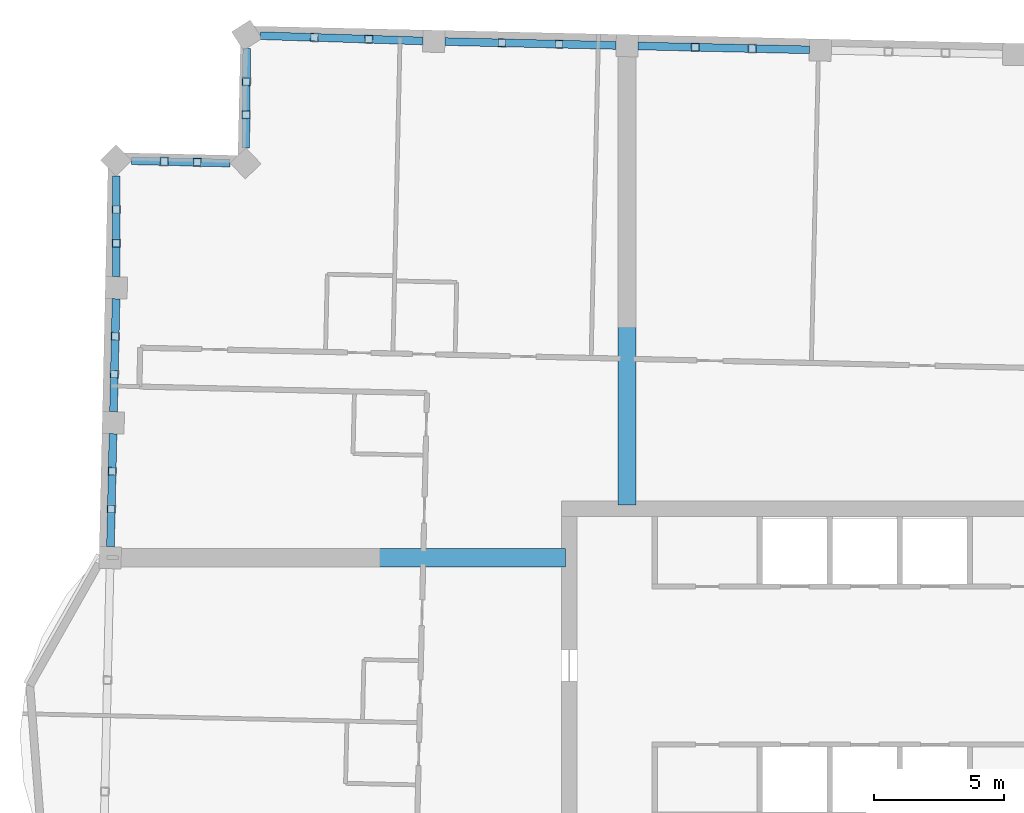
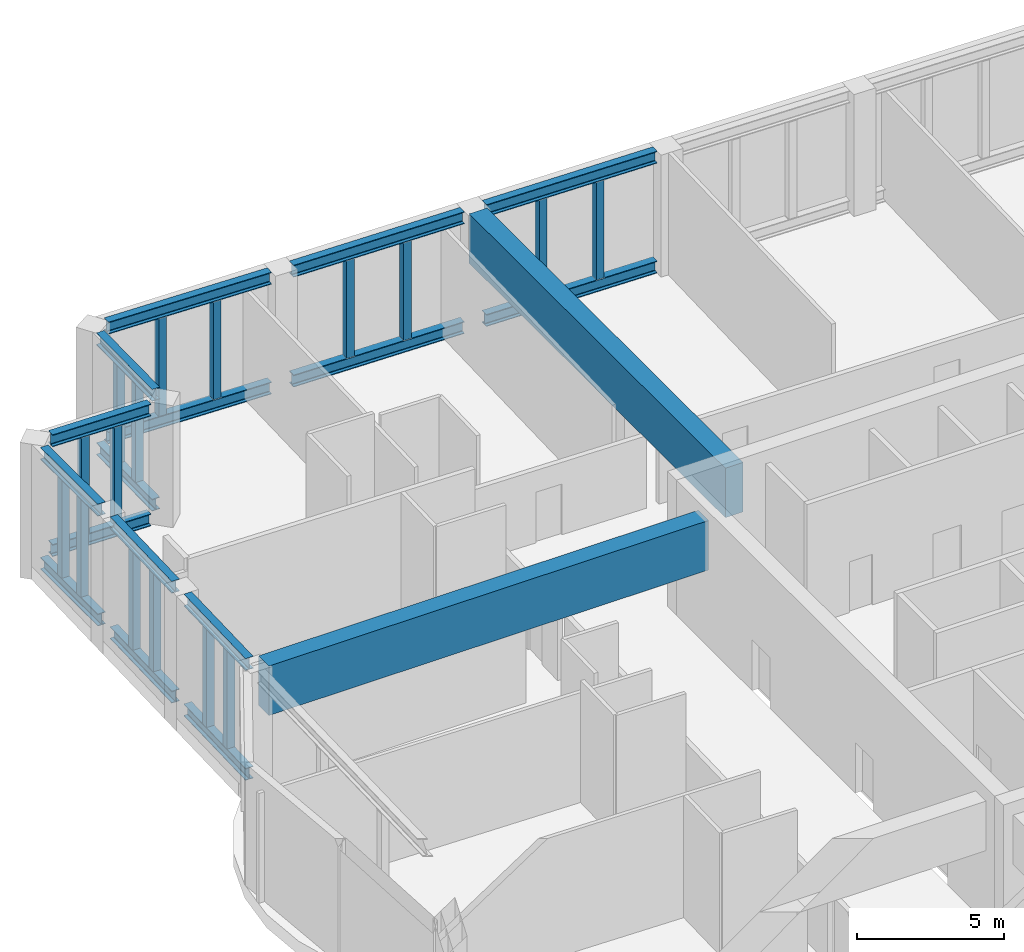
# One storey, part 6 of 16: 32 members, 2 beams.
"""IFC4 building model written with IfcOpenShell, lengths in metres."""

from ifc_helpers import new_model, si_unit, direction, frame, origin, origin_2d, place, context, subcontext, project, spatial, rectangle, hollow_rectangle, i_section, extrude, material, material_profile, profile_set, type_object, element, save


model = new_model("IFC4")

# Units and contexts
model_context = context("Model", 3, precision=1e-05, world=origin(), true_north=direction((0.0, 1.0)))
body_context = subcontext(model_context, "Body", "Model", "MODEL_VIEW")
ifc_project = project(units=[si_unit("LENGTHUNIT", "METRE"), si_unit("AREAUNIT", "SQUARE_METRE"), si_unit("VOLUMEUNIT", "CUBIC_METRE"), si_unit("PLANEANGLEUNIT", "RADIAN"), si_unit("MASSUNIT", "GRAM", prefix="KILO")], contexts=[model_context])

# Site, building, storey
site_placement = place(None, origin())
site = spatial("IfcSite", under=ifc_project, at=site_placement, CompositionType="ELEMENT")
building_placement = place(site_placement, origin())
building = spatial("IfcBuilding", under=site, at=building_placement, Name="Mangrove Gate Tower", CompositionType="ELEMENT")
storey_placement = place(building_placement, frame((0.0, 0.0, 324.10009765625)))
storey = spatial("IfcBuildingStorey", under=building, at=storey_placement, Name="L83", CompositionType="ELEMENT", Elevation=324.10009765625)

# Members
ifc_material_1 = material(Name="Steel S355J2", Category="steel")
ifc_material_profile_1 = material_profile(ifc_material_1, i_section(OverallWidth=0.300048828125, OverallDepth=0.5, WebThickness=0.014404296875, FlangeThickness=0.028076171875, FilletRadius=0.027099609375, at=origin_2d()))
ifc_profile_set_1 = profile_set([ifc_material_profile_1], Name="Steel S355J2")
member_type_1 = type_object("IfcMemberType", Name="Belt truss chord HE 500 B", PredefinedType="CHORD", material=ifc_profile_set_1)
for number, where, z_axis, x_axis, name in (
    (1, (-4.838623046875, 28.8056640625, 0.25), (-0.999742579014, 0.022688669137, 0.0), (-0.022688669137, -0.999742579014, 0.0), "Belt truss bottom chord L83 27"),
    (2, (-4.838623046875, 28.8056640625, 4.7998046875), (-0.999742579014, 0.022688669137, 0.0), (-0.022688669137, -0.999742579014, 0.0), "Belt truss top chord L83 27"),
    (3, (-12.29345703125, 28.974853515625, 0.25), (-0.999743416513, 0.022651735883, 0.0), (-0.022651735883, -0.999743416513, 0.0), "Belt truss bottom chord L83 28"),
    (4, (-12.29345703125, 28.974853515625, 4.7998046875), (-0.999743416513, 0.022651735883, 0.0), (-0.022651735883, -0.999743416513, 0.0), "Belt truss top chord L83 28"),
):
    element("IfcMember", number, at=place(storey_placement, frame(where, z_axis=z_axis, x_axis=x_axis)), inside=storey, type_object=member_type_1, Name=name, PredefinedType="CHORD", context=body_context, shape_type="SweptSolid", body=[
        extrude(i_section(OverallWidth=0.300048828125, OverallDepth=0.5, WebThickness=0.014404296875, FlangeThickness=0.028076171875, FilletRadius=0.027099609375, at=origin_2d()), origin(), (0.0, 0.0, 1.0), 6.60693359375),
    ])
for number, where, z_axis, x_axis, name in (
    (5, (-19.74853515625, 29.14794921875, 0.25), (-0.999468002837, 0.032614587312, 0.0), (-0.032614587312, -0.999468002837, 0.0), "Belt truss bottom chord L83 29"),
    (6, (-19.74853515625, 29.14794921875, 4.7998046875), (-0.999468002837, 0.032614587312, 0.0), (-0.032614587312, -0.999468002837, 0.0), "Belt truss top chord L83 29"),
):
    element("IfcMember", number, at=place(storey_placement, frame(where, z_axis=z_axis, x_axis=x_axis)), inside=storey, type_object=member_type_1, Name=name, PredefinedType="CHORD", context=body_context, shape_type="SweptSolid", body=[
        extrude(i_section(OverallWidth=0.300048828125, OverallDepth=0.5, WebThickness=0.014404296875, FlangeThickness=0.028076171875, FilletRadius=0.027099609375, at=origin_2d()), origin(), (0.0, 0.0, 1.0), 6.280517578125),
    ])
for number, where, z_axis, x_axis, name in (
    (7, (-26.54541015625, 28.8623046875, 0.25), (-0.009901761604, -0.999950976357, 0.0), (0.999950976357, -0.009901761604, 0.0), "Belt truss bottom chord L83 30"),
    (8, (-26.54541015625, 28.8623046875, 4.7998046875), (-0.009901761604, -0.999950976357, 0.0), (0.999950976357, -0.009901761604, 0.0), "Belt truss top chord L83 30"),
):
    element("IfcMember", number, at=place(storey_placement, frame(where, z_axis=z_axis, x_axis=x_axis)), inside=storey, type_object=member_type_1, Name=name, PredefinedType="CHORD", context=body_context, shape_type="SweptSolid", body=[
        extrude(i_section(OverallWidth=0.300048828125, OverallDepth=0.5, WebThickness=0.014404296875, FlangeThickness=0.028076171875, FilletRadius=0.027099609375, at=origin_2d()), origin(), (0.0, 0.0, 1.0), 3.846435546875),
    ])
for number, where, z_axis, x_axis, name in (
    (9, (-27.189697265625, 24.43701171875, 0.25), (-0.999715144974, 0.02386689988, 0.0), (-0.02386689988, -0.999715144974, 0.0), "Belt truss bottom chord L83 31"),
    (10, (-27.189697265625, 24.43701171875, 4.7998046875), (-0.999715144974, 0.02386689988, 0.0), (-0.02386689988, -0.999715144974, 0.0), "Belt truss top chord L83 31"),
):
    element("IfcMember", number, at=place(storey_placement, frame(where, z_axis=z_axis, x_axis=x_axis)), inside=storey, type_object=member_type_1, Name=name, PredefinedType="CHORD", context=body_context, shape_type="SweptSolid", body=[
        extrude(i_section(OverallWidth=0.300048828125, OverallDepth=0.5, WebThickness=0.014404296875, FlangeThickness=0.028076171875, FilletRadius=0.027099609375, at=origin_2d()), origin(), (0.0, 0.0, 1.0), 3.80517578125),
    ])
for number, where, z_axis, x_axis, name in (
    (11, (-31.581298828125, 23.94287109375, 0.25), (0.001442999941, -0.999998958875, 0.0), (0.999998958875, 0.001442999941, 0.0), "Belt truss bottom chord L83 32"),
    (12, (-31.581298828125, 23.94287109375, 4.7998046875), (0.001442999941, -0.999998958875, 0.0), (0.999998958875, 0.001442999941, 0.0), "Belt truss top chord L83 32"),
):
    element("IfcMember", number, at=place(storey_placement, frame(where, z_axis=z_axis, x_axis=x_axis)), inside=storey, type_object=member_type_1, Name=name, PredefinedType="CHORD", context=body_context, shape_type="SweptSolid", body=[
        extrude(i_section(OverallWidth=0.300048828125, OverallDepth=0.5, WebThickness=0.014404296875, FlangeThickness=0.028076171875, FilletRadius=0.027099609375, at=origin_2d()), origin(), (0.0, 0.0, 1.0), 3.891357421875),
    ])
for number, where, z_axis, x_axis, name in (
    (13, (-31.584716796875, 19.201416015625, 0.25), (-0.02268704877, -0.999742615786, 0.0), (0.999742615786, -0.02268704877, 0.0), "Belt truss bottom chord L83 33"),
    (14, (-31.584716796875, 19.201416015625, 4.7998046875), (-0.02268704877, -0.999742615786, 0.0), (0.999742615786, -0.02268704877, 0.0), "Belt truss top chord L83 33"),
    (15, (-31.70263671875, 13.994384765625, 0.25), (-0.02268704877, -0.999742615786, 0.0), (0.999742615786, -0.02268704877, 0.0), "Belt truss bottom chord L83 34"),
    (16, (-31.70263671875, 13.994384765625, 4.7998046875), (-0.02268704877, -0.999742615786, 0.0), (0.999742615786, -0.02268704877, 0.0), "Belt truss top chord L83 34"),
):
    element("IfcMember", number, at=place(storey_placement, frame(where, z_axis=z_axis, x_axis=x_axis)), inside=storey, type_object=member_type_1, Name=name, PredefinedType="CHORD", context=body_context, shape_type="SweptSolid", body=[
        extrude(i_section(OverallWidth=0.300048828125, OverallDepth=0.5, WebThickness=0.014404296875, FlangeThickness=0.028076171875, FilletRadius=0.027099609375, at=origin_2d()), origin(), (0.0, 0.0, 1.0), 4.3583984375),
    ])
ifc_material_2 = material(Name="Steel S355J2H", Category="steel")
ifc_material_profile_2 = material_profile(ifc_material_2, hollow_rectangle(XDim=0.300048828125, YDim=0.300048828125, WallThickness=0.012451171875, at=origin_2d()))
ifc_profile_set_2 = profile_set([ifc_material_profile_2], Name="Steel S355J2H")
member_type_2 = type_object("IfcMemberType", Name="Belt truss post SHS 300x300x12.5", PredefinedType="POST", material=ifc_profile_set_2)
for number, where, z_axis, x_axis, name in (
    (17, (-7.040283203125, 28.855712890625, 0.5), (0.0, 0.0, 1.0), (-0.999743149141, 0.022663533403, 0.0), "Belt truss post L83 27-1"),
    (18, (-9.241943359375, 28.905517578125, 0.5), (0.0, 0.0, 1.0), (-0.999743149141, 0.022663533403, 0.0), "Belt truss post L83 27-2"),
    (19, (-14.495361328125, 29.024658203125, 0.5), (0.0, 0.0, 1.0), (-0.999743149141, 0.022663533403, 0.0), "Belt truss post L83 28-1"),
    (20, (-16.697021484375, 29.074462890625, 0.5), (0.0, 0.0, 1.0), (-0.999743149141, 0.022663533403, 0.0), "Belt truss post L83 28-2"),
    (21, (-21.8408203125, 29.21630859375, 0.5), (0.0, 0.0, 1.0), (-0.999467540321, 0.032628757927, 0.0), "Belt truss post L83 29-1"),
    (22, (-23.93310546875, 29.28466796875, 0.5), (0.0, 0.0, 1.0), (-0.999467540321, 0.032628757927, 0.0), "Belt truss post L83 29-2"),
    (23, (-26.55810546875, 27.580322265625, 0.5), (0.0, 0.0, 1.0), (-0.009903900912, -0.999950955171, 0.0), "Belt truss post L83 30-1"),
    (24, (-26.57080078125, 26.298095703125, 0.5), (0.0, 0.0, 1.0), (-0.009903900912, -0.999950955171, 0.0), "Belt truss post L83 30-2"),
    (25, (-28.457763671875, 24.46728515625, 0.5), (0.0, 0.0, 1.0), (-0.99971561486, 0.023847209588, 0.0), "Belt truss post L83 31-1"),
    (26, (-29.725830078125, 24.49755859375, 0.5), (0.0, 0.0, 1.0), (-0.99971561486, 0.023847209588, 0.0), "Belt truss post L83 31-2"),
    (27, (-31.579345703125, 22.645751953125, 0.5), (0.0, 0.0, 1.0), (0.001433857302, -0.999998972026, 0.0), "Belt truss post L83 32-1"),
    (28, (-31.57763671875, 21.3486328125, 0.5), (0.0, 0.0, 1.0), (0.001433857302, -0.999998972026, 0.0), "Belt truss post L83 32-2"),
    (29, (-31.61767578125, 17.7490234375, 0.5), (0.0, 0.0, 1.0), (-0.022655978068, -0.999743320387, 0.0), "Belt truss post L83 33-1"),
    (30, (-31.650634765625, 16.296630859375, 0.5), (0.0, 0.0, 1.0), (-0.022655978068, -0.999743320387, 0.0), "Belt truss post L83 33-2"),
    (31, (-31.735595703125, 12.5419921875, 0.5), (0.0, 0.0, 1.0), (-0.02265594317, -0.999743321178, 0.0), "Belt truss post L83 34-1"),
    (32, (-31.7685546875, 11.089599609375, 0.5), (0.0, 0.0, 1.0), (-0.02265594317, -0.999743321178, 0.0), "Belt truss post L83 34-2"),
):
    element("IfcMember", number, at=place(storey_placement, frame(where, z_axis=z_axis, x_axis=x_axis)), inside=storey, type_object=member_type_2, Name=name, PredefinedType="POST", context=body_context, shape_type="SweptSolid", body=[
        extrude(hollow_rectangle(XDim=0.300048828125, YDim=0.300048828125, WallThickness=0.012451171875, at=origin_2d()), origin(), (0.0, 0.0, 1.0), 4.0498046875),
    ])

# Beams
ifc_material_3 = material(Name="Concrete C50/60", Category="concrete")
ifc_material_profile_3 = material_profile(ifc_material_3, rectangle(XDim=0.699951171875, YDim=2.050048828125, at=origin_2d()))
ifc_profile_set_3 = profile_set([ifc_material_profile_3], Name="Concrete C50/60")
beam_type = type_object("IfcBeamType", Name="Outrigger coupling beam RC 700x2050 C50/60", PredefinedType="BEAM", material=ifc_profile_set_3)
beam_1_placement = place(storey_placement, frame((-14.25, 9.21240234375, 4.02490234375), z_axis=(-1.0, 0.0, 0.0), x_axis=(0.0, -1.0, 0.0)))
element("IfcBeam", 33, at=beam_1_placement, inside=storey, type_object=beam_type, Name="Outrigger coupling beam L83 OR2", PredefinedType="BEAM", context=body_context, shape_type="SweptSolid", body=[
    extrude(rectangle(XDim=0.699951171875, YDim=2.050048828125, at=origin_2d()), origin(), (0.0, 0.0, 1.0), 17.236083984375),
])
beam_2_placement = place(storey_placement, frame((-11.86865234375, 11.25, 4.02490234375), z_axis=(0.0, 1.0, 0.0), x_axis=(-1.0, 0.0, 0.0)))
element("IfcBeam", 34, at=beam_2_placement, inside=storey, type_object=beam_type, Name="Outrigger coupling beam L83 OR7", PredefinedType="BEAM", context=body_context, shape_type="SweptSolid", body=[
    extrude(rectangle(XDim=0.699951171875, YDim=2.050048828125, at=origin_2d()), origin(), (0.0, 0.0, 1.0), 17.389892578125),
])

save(model, "model.ifc")
